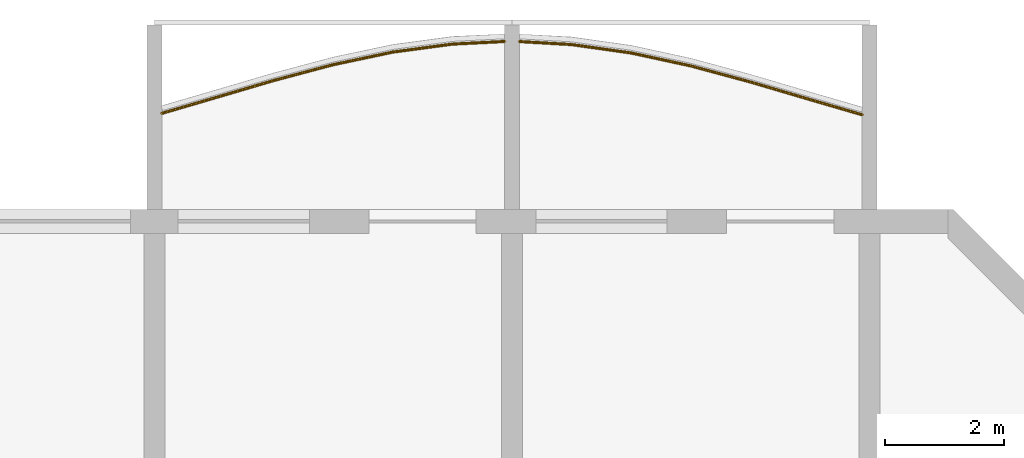
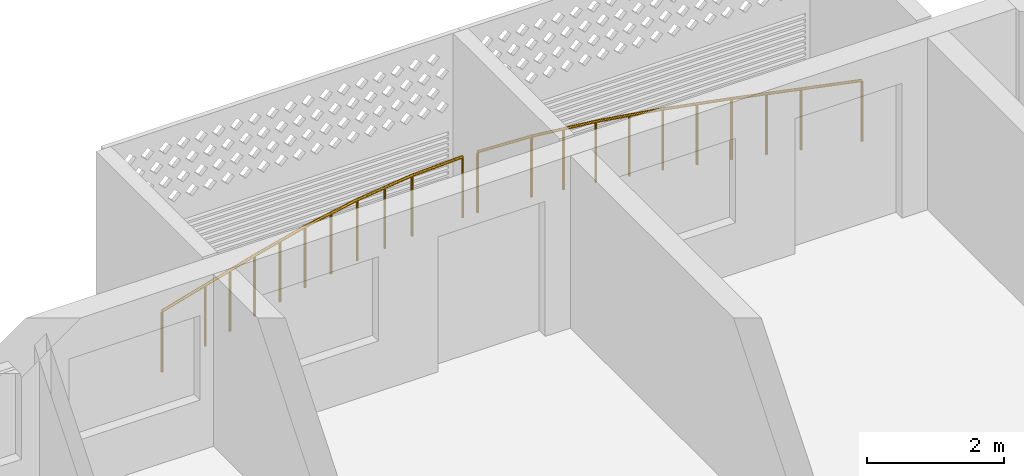
# One storey, part 25 of 26: 2 railings.
"""IFC4 building model written with IfcOpenShell, lengths in metres."""

from ifc_helpers import new_model, si_unit, direction, frame, origin, origin_2d, place, context, subcontext, project, spatial, circle, extrude, material, type_object, element, save


model = new_model("IFC4")

# Units and contexts
model_context = context("Model", 3, precision=1e-05, world=origin(), true_north=direction((0.0, 1.0)))
body_context = subcontext(model_context, "Body", "Model", "MODEL_VIEW")
ifc_project = project(units=[si_unit("LENGTHUNIT", "METRE"), si_unit("AREAUNIT", "SQUARE_METRE"), si_unit("VOLUMEUNIT", "CUBIC_METRE"), si_unit("PLANEANGLEUNIT", "RADIAN"), si_unit("MASSUNIT", "GRAM", prefix="KILO")], contexts=[model_context])

# Site, building, storey
site_placement = place(None, origin())
site = spatial("IfcSite", under=ifc_project, at=site_placement, CompositionType="ELEMENT")
building_placement = place(site_placement, origin())
building = spatial("IfcBuilding", under=site, at=building_placement, Name="Poui Terraces", CompositionType="ELEMENT")
storey_placement = place(building_placement, frame((0.0, 0.0, 79.5)))
storey = spatial("IfcBuildingStorey", under=building, at=storey_placement, Name="L21", CompositionType="ELEMENT", Elevation=79.5)

# Railings
ifc_material = material(Name="Painted steel fretwork", Category="steel")
railing_type = type_object("IfcRailingType", Name="BALCONY GUARD 1100", PredefinedType="GUARDRAIL", material=ifc_material)
railing_1_placement = place(storey_placement, frame((78.125, 45.413818359375, 0.0)))
element("IfcRailing", 1, at=railing_1_placement, inside=storey, type_object=railing_type, Name="BALCONY GUARD", PredefinedType="GUARDRAIL", context=body_context, shape_type="SweptSolid", body=[
    extrude(circle(Radius=0.02392578125, at=origin_2d()), frame((0.0, 0.0, 1.076171875), z_axis=(0.959663427085, 0.281151394654, 0.0), x_axis=(-0.281151394654, 0.959663427085, 0.0)), (0.0, 0.0, 1.0), 0.911865234375),
    extrude(circle(Radius=0.02392578125, at=origin_2d()), frame((0.875, 0.25634765625, 1.076171875), z_axis=(0.959346851742, 0.282229725671, 0.0), x_axis=(-0.282229725671, 0.959346851742, 0.0)), (0.0, 0.0, 1.0), 1.04248046875),
    extrude(circle(Radius=0.02392578125, at=origin_2d()), frame((1.875, 0.550537109375, 1.076171875), z_axis=(0.966309295868, 0.257383652781, 0.0), x_axis=(-0.257383652781, 0.966309295868, 0.0)), (0.0, 0.0, 1.0), 1.034912109375),
    extrude(circle(Radius=0.02392578125, at=origin_2d()), frame((2.875, 0.81689453125, 1.076171875), z_axis=(0.978420335295, 0.206624411629, 0.0), x_axis=(-0.206624411629, 0.978420335295, 0.0)), (0.0, 0.0, 1.0), 1.02197265625),
    extrude(circle(Radius=0.02392578125, at=origin_2d()), frame((3.875, 1.028076171875, 1.076171875), z_axis=(0.991104904979, 0.133082934018, 0.0), x_axis=(-0.133082934018, 0.991104904979, 0.0)), (0.0, 0.0, 1.0), 1.009033203125),
    extrude(circle(Radius=0.02392578125, at=origin_2d()), frame((4.875, 1.162353515625, 1.076171875), z_axis=(0.998768961938, 0.049604038846, 0.0), x_axis=(-0.049604038846, 0.998768961938, 0.0)), (0.0, 0.0, 1.0), 0.8759765625),
    extrude(circle(Radius=0.02099609375, at=origin_2d()), origin(), (0.0, 0.0, 1.0), 1.052001953125),
    extrude(circle(Radius=0.02099609375, at=origin_2d()), frame((0.875, 0.25634765625, 0.0)), (0.0, 0.0, 1.0), 1.052001953125),
    extrude(circle(Radius=0.02099609375, at=origin_2d()), frame((1.375, 0.4033203125, 0.0)), (0.0, 0.0, 1.0), 1.052001953125),
    extrude(circle(Radius=0.02099609375, at=origin_2d()), frame((1.875, 0.550537109375, 0.0)), (0.0, 0.0, 1.0), 1.052001953125),
    extrude(circle(Radius=0.02099609375, at=origin_2d()), frame((2.375, 0.68359375, 0.0)), (0.0, 0.0, 1.0), 1.052001953125),
    extrude(circle(Radius=0.02099609375, at=origin_2d()), frame((2.875, 0.81689453125, 0.0)), (0.0, 0.0, 1.0), 1.052001953125),
    extrude(circle(Radius=0.02099609375, at=origin_2d()), frame((3.375, 0.92236328125, 0.0)), (0.0, 0.0, 1.0), 1.052001953125),
    extrude(circle(Radius=0.02099609375, at=origin_2d()), frame((3.875, 1.028076171875, 0.0)), (0.0, 0.0, 1.0), 1.052001953125),
    extrude(circle(Radius=0.02099609375, at=origin_2d()), frame((4.375, 1.09521484375, 0.0)), (0.0, 0.0, 1.0), 1.052001953125),
    extrude(circle(Radius=0.02099609375, at=origin_2d()), frame((4.875, 1.162353515625, 0.0)), (0.0, 0.0, 1.0), 1.052001953125),
    extrude(circle(Radius=0.02099609375, at=origin_2d()), frame((5.75, 1.205810546875, 0.0)), (0.0, 0.0, 1.0), 1.052001953125),
])
railing_2_placement = place(storey_placement, frame((84.125, 46.61865234375, 0.0)))
element("IfcRailing", 2, at=railing_2_placement, inside=storey, type_object=railing_type, Name="BALCONY GUARD", PredefinedType="GUARDRAIL", context=body_context, shape_type="SweptSolid", body=[
    extrude(circle(Radius=0.02392578125, at=origin_2d()), frame((0.0, 0.0, 1.076171875), z_axis=(0.998352239869, -0.057382969144, 0.0), x_axis=(0.057382969144, 0.998352239869, 0.0)), (0.0, 0.0, 1.0), 0.87646484375),
    extrude(circle(Radius=0.02392578125, at=origin_2d()), frame((0.875, -0.05029296875, 1.076171875), z_axis=(0.99015631817, -0.13996594439, 0.0), x_axis=(0.13996594439, 0.99015631817, 0.0)), (0.0, 0.0, 1.0), 1.010009765625),
    extrude(circle(Radius=0.02392578125, at=origin_2d()), frame((1.875, -0.191650390625, 1.076171875), z_axis=(0.977296797445, -0.211874891633, 0.0), x_axis=(0.211874891633, 0.977296797445, 0.0)), (0.0, 0.0, 1.0), 1.023193359375),
    extrude(circle(Radius=0.02392578125, at=origin_2d()), frame((2.875, -0.408447265625, 1.076171875), z_axis=(0.965483634336, -0.260463724595, 0.0), x_axis=(0.260463724595, 0.965483634336, 0.0)), (0.0, 0.0, 1.0), 1.03564453125),
    extrude(circle(Radius=0.02392578125, at=origin_2d()), frame((3.875, -0.67822265625, 1.076171875), z_axis=(0.959092870386, -0.283091621166, 0.0), x_axis=(0.283091621166, 0.959092870386, 0.0)), (0.0, 0.0, 1.0), 1.042724609375),
    extrude(circle(Radius=0.02392578125, at=origin_2d()), frame((4.875, -0.973388671875, 1.076171875), z_axis=(0.96009595316, -0.279670807784, 0.0), x_axis=(0.279670807784, 0.96009595316, 0.0)), (0.0, 0.0, 1.0), 0.911376953125),
    extrude(circle(Radius=0.02099609375, at=origin_2d()), origin(), (0.0, 0.0, 1.0), 1.052001953125),
    extrude(circle(Radius=0.02099609375, at=origin_2d()), frame((0.875, -0.05029296875, 0.0)), (0.0, 0.0, 1.0), 1.052001953125),
    extrude(circle(Radius=0.02099609375, at=origin_2d()), frame((1.375, -0.12109375, 0.0)), (0.0, 0.0, 1.0), 1.052001953125),
    extrude(circle(Radius=0.02099609375, at=origin_2d()), frame((1.875, -0.191650390625, 0.0)), (0.0, 0.0, 1.0), 1.052001953125),
    extrude(circle(Radius=0.02099609375, at=origin_2d()), frame((2.375, -0.300048828125, 0.0)), (0.0, 0.0, 1.0), 1.052001953125),
    extrude(circle(Radius=0.02099609375, at=origin_2d()), frame((2.875, -0.408447265625, 0.0)), (0.0, 0.0, 1.0), 1.052001953125),
    extrude(circle(Radius=0.02099609375, at=origin_2d()), frame((3.375, -0.54345703125, 0.0)), (0.0, 0.0, 1.0), 1.052001953125),
    extrude(circle(Radius=0.02099609375, at=origin_2d()), frame((3.875, -0.67822265625, 0.0)), (0.0, 0.0, 1.0), 1.052001953125),
    extrude(circle(Radius=0.02099609375, at=origin_2d()), frame((4.375, -0.82568359375, 0.0)), (0.0, 0.0, 1.0), 1.052001953125),
    extrude(circle(Radius=0.02099609375, at=origin_2d()), frame((4.875, -0.973388671875, 0.0)), (0.0, 0.0, 1.0), 1.052001953125),
    extrude(circle(Radius=0.02099609375, at=origin_2d()), frame((5.75, -1.228271484375, 0.0)), (0.0, 0.0, 1.0), 1.052001953125),
])

save(model, "model.ifc")
